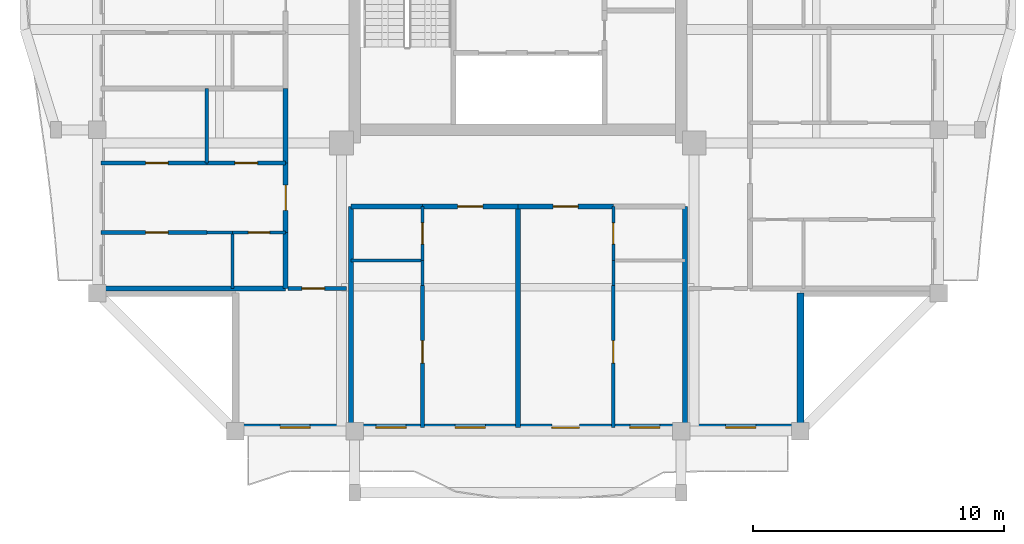
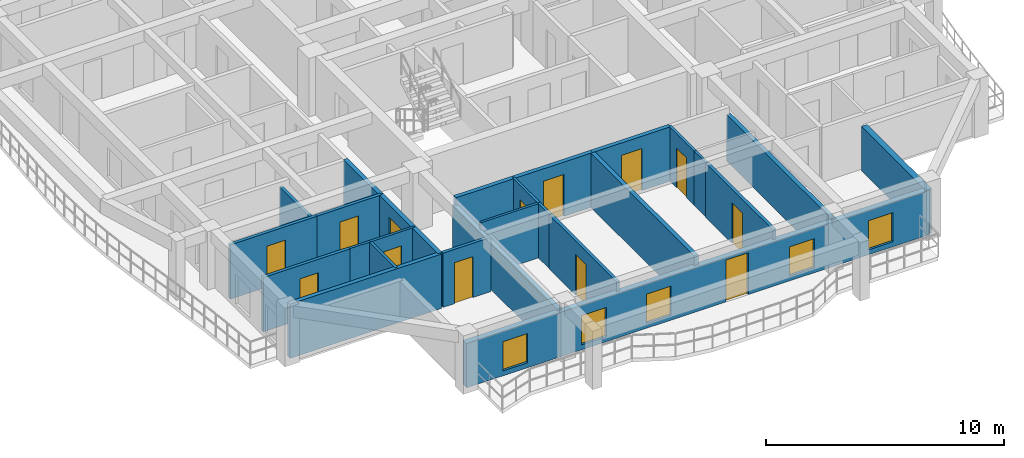
# One storey, part 2 of 14: 27 walls, 13 doors, 5 windows, 18 openings.
"""IFC4 building model written with IfcOpenShell, lengths in metres."""

from ifc_helpers import new_model, si_unit, direction, frame, frame_2d, origin, place, context, subcontext, project, spatial, rectangle, extrude, source, transform, mapped, material, layer, layer_set, type_object, element, fill, save


model = new_model("IFC4")

# Units and contexts
model_context = context("Model", 3, precision=1e-05, world=origin(), true_north=direction((0.0, 1.0)))
body_context = subcontext(model_context, "Body", "Model", "MODEL_VIEW")
ifc_project = project(units=[si_unit("LENGTHUNIT", "METRE"), si_unit("AREAUNIT", "SQUARE_METRE"), si_unit("VOLUMEUNIT", "CUBIC_METRE"), si_unit("PLANEANGLEUNIT", "RADIAN"), si_unit("MASSUNIT", "GRAM", prefix="KILO")], contexts=[model_context])

# Site, building, storey
site_placement = place(None, origin())
site = spatial("IfcSite", under=ifc_project, at=site_placement, CompositionType="ELEMENT")
building_placement = place(site_placement, origin())
building = spatial("IfcBuilding", under=site, at=building_placement, Name="Saelheon Loggia Tower", CompositionType="ELEMENT")
storey_placement = place(building_placement, frame((0.0, 0.0, 233.10009765625)))
storey = spatial("IfcBuildingStorey", under=building, at=storey_placement, Name="L72", CompositionType="ELEMENT", Elevation=233.10009765625)

# Wall, openings, windows, door
ifc_material_1 = material(Name="Architectural Precast Concrete C40/50", Category="concrete")
ifc_layer_1 = layer(ifc_material_1, 0.280029296875)
ifc_layer_set_1 = layer_set([ifc_layer_1], Name="Architectural Precast Concrete C40/50")
wall_type_1 = type_object("IfcWallType", Name="Wall_Ext_Loggia_280", PredefinedType="SOLIDWALL", material=ifc_layer_set_1)
wall_1_placement = place(storey_placement, frame((26.75, 6.139892578125, 0.0), z_axis=(0.0, 0.0, 1.0), x_axis=(1.0, 0.0, 0.0)))
wall_1 = element("IfcWall", 1, at=wall_1_placement, inside=storey, type_object=wall_type_1, Name="L72 South Loggia Inner Wall", PredefinedType="SOLIDWALL", context=body_context, shape_type="SweptSolid", body=[
    extrude(rectangle(XDim=22.5, YDim=0.280029296875, at=frame_2d((11.25, 0.0))), origin(), (0.0, 0.0, 1.0), 2.27978515625),
])
opening_1_placement = place(wall_1_placement, frame((1.77490234375, 0.0, 0.25)))
opening_1 = element("IfcOpeningElement", 2, at=opening_1_placement, cuts=wall_1, Name="Opening WN-03", PredefinedType="OPENING", context=body_context, shape_type="SweptSolid", body=[
    extrude(rectangle(XDim=1.199951171875, YDim=1.5, at=frame_2d((0.60009765625, 0.75))), frame((0.0, 0.152099609375, 0.0), z_axis=(0.0, -1.0, 0.0), x_axis=(1.0, 0.0, 0.0)), (0.0, 0.0, 1.0), 0.303955078125),
])
opening_2_placement = place(wall_1_placement, frame((5.594970703125, 0.0, 0.25)))
opening_2 = element("IfcOpeningElement", 3, at=opening_2_placement, cuts=wall_1, Name="Opening WN-03", PredefinedType="OPENING", context=body_context, shape_type="SweptSolid", body=[
    extrude(rectangle(XDim=1.199951171875, YDim=1.5, at=frame_2d((0.60009765625, 0.75))), frame((0.0, 0.152099609375, 0.0), z_axis=(0.0, -1.0, 0.0), x_axis=(1.0, 0.0, 0.0)), (0.0, 0.0, 1.0), 0.303955078125),
])
opening_3_placement = place(wall_1_placement, frame((8.75, 0.0, 0.25)))
opening_3 = element("IfcOpeningElement", 4, at=opening_3_placement, cuts=wall_1, Name="Opening WN-03", PredefinedType="OPENING", context=body_context, shape_type="SweptSolid", body=[
    extrude(rectangle(XDim=1.199951171875, YDim=1.5, at=frame_2d((0.60009765625, 0.75))), frame((0.0, 0.152099609375, 0.0), z_axis=(0.0, -1.0, 0.0), x_axis=(1.0, 0.0, 0.0)), (0.0, 0.0, 1.0), 0.303955078125),
])
opening_4_placement = place(wall_1_placement, frame((13.7001953125, 0.0, 0.0), z_axis=(0.0, 0.0, 1.0), x_axis=(-1.0, 0.0, 0.0)))
opening_4 = element("IfcOpeningElement", 5, at=opening_4_placement, cuts=wall_1, Name="Opening TD1", PredefinedType="OPENING", context=body_context, shape_type="SweptSolid", body=[
    extrude(rectangle(XDim=1.10009765625, YDim=2.14990234375, at=frame_2d((0.550048828125, 1.074951171875))), frame((0.0, 0.152099609375, 0.0), z_axis=(0.0, -1.0, 0.0), x_axis=(1.0, 0.0, 0.0)), (0.0, 0.0, 1.0), 0.303955078125),
])
opening_5_placement = place(wall_1_placement, frame((15.705078125, 0.0, 0.25)))
opening_5 = element("IfcOpeningElement", 6, at=opening_5_placement, cuts=wall_1, Name="Opening WN-03", PredefinedType="OPENING", context=body_context, shape_type="SweptSolid", body=[
    extrude(rectangle(XDim=1.199951171875, YDim=1.5, at=frame_2d((0.60009765625, 0.75))), frame((0.0, 0.152099609375, 0.0), z_axis=(0.0, -1.0, 0.0), x_axis=(1.0, 0.0, 0.0)), (0.0, 0.0, 1.0), 0.303955078125),
])
opening_6_placement = place(wall_1_placement, frame((19.52490234375, 0.0, 0.25)))
opening_6 = element("IfcOpeningElement", 7, at=opening_6_placement, cuts=wall_1, Name="Opening WN-03", PredefinedType="OPENING", context=body_context, shape_type="SweptSolid", body=[
    extrude(rectangle(XDim=1.199951171875, YDim=1.5, at=frame_2d((0.60009765625, 0.75))), frame((0.0, 0.152099609375, 0.0), z_axis=(0.0, -1.0, 0.0), x_axis=(1.0, 0.0, 0.0)), (0.0, 0.0, 1.0), 0.303955078125),
])
ifc_material_2 = material(Name="Thermal-Break Aluminium and Triple Low-E Glass", Category="aluminium")
window_type = type_object("IfcWindowType", Name="Win_Bedroom_1200x1500", PartitioningType="SINGLE_PANEL", PredefinedType="WINDOW", material=ifc_material_2)
shared_shape_1 = source(origin(), body_context, "Body", "SweptSolid", [
    extrude(rectangle(XDim=1.199951171875, YDim=1.5, at=frame_2d((0.60009765625, 0.75))), frame((0.0, 0.030029296875, 0.0), z_axis=(0.0, -1.0, 0.0), x_axis=(1.0, 0.0, 0.0)), (0.0, 0.0, 1.0), 0.06005859375),
])
window_1_placement = place(opening_1_placement, origin())
window_1 = element("IfcWindow", 8, at=window_1_placement, inside=storey, type_object=window_type, Name="L72 S Dwelling Window 1", OverallHeight=1.5, OverallWidth=1.199951171875, PartitioningType="SINGLE_PANEL", PredefinedType="WINDOW", context=body_context, shape_type="MappedRepresentation", body=[
    mapped(shared_shape_1, transform((0.0, 0.0, 0.0), scale=1.0)),
])
fill(opening_1, window_1)
window_2_placement = place(opening_2_placement, origin())
window_2 = element("IfcWindow", 9, at=window_2_placement, inside=storey, type_object=window_type, Name="L72 S Dwelling Window 2", OverallHeight=1.5, OverallWidth=1.199951171875, PartitioningType="SINGLE_PANEL", PredefinedType="WINDOW", context=body_context, shape_type="MappedRepresentation", body=[
    mapped(shared_shape_1, transform((0.0, 0.0, 0.0), scale=1.0)),
])
fill(opening_2, window_2)
window_3_placement = place(opening_3_placement, origin())
window_3 = element("IfcWindow", 10, at=window_3_placement, inside=storey, type_object=window_type, Name="L72 S Dwelling Window 3", OverallHeight=1.5, OverallWidth=1.199951171875, PartitioningType="SINGLE_PANEL", PredefinedType="WINDOW", context=body_context, shape_type="MappedRepresentation", body=[
    mapped(shared_shape_1, transform((0.0, 0.0, 0.0), scale=1.0)),
])
fill(opening_3, window_3)
window_4_placement = place(opening_5_placement, origin())
window_4 = element("IfcWindow", 11, at=window_4_placement, inside=storey, type_object=window_type, Name="L72 S Dwelling Window 5", OverallHeight=1.5, OverallWidth=1.199951171875, PartitioningType="SINGLE_PANEL", PredefinedType="WINDOW", context=body_context, shape_type="MappedRepresentation", body=[
    mapped(shared_shape_1, transform((0.0, 0.0, 0.0), scale=1.0)),
])
fill(opening_5, window_4)
window_5_placement = place(opening_6_placement, origin())
window_5 = element("IfcWindow", 12, at=window_5_placement, inside=storey, type_object=window_type, Name="L72 S Dwelling Window 6", OverallHeight=1.5, OverallWidth=1.199951171875, PartitioningType="SINGLE_PANEL", PredefinedType="WINDOW", context=body_context, shape_type="MappedRepresentation", body=[
    mapped(shared_shape_1, transform((0.0, 0.0, 0.0), scale=1.0)),
])
fill(opening_6, window_5)
ifc_material_3 = material(Name="Thermal-Break Aluminium Glazed Door", Category="aluminium")
door_type_1 = type_object("IfcDoorType", Name="Door_Terrace_TD1", OperationType="NOTDEFINED", PredefinedType="DOOR", material=ifc_material_3)
shared_shape_2 = source(origin(), body_context, "Body", "SweptSolid", [
    extrude(rectangle(XDim=1.10009765625, YDim=2.14990234375, at=frame_2d((0.550048828125, 1.074951171875))), frame((0.0, 0.02490234375, 0.0), z_axis=(0.0, -1.0, 0.0), x_axis=(1.0, 0.0, 0.0)), (0.0, 0.0, 1.0), 0.050048828125),
])
door_1_placement = place(opening_4_placement, origin())
door_1 = element("IfcDoor", 13, at=door_1_placement, inside=storey, type_object=door_type_1, Name="L72 S Loggia Access Door", OperationType="SINGLE_SWING_RIGHT", OverallHeight=2.14990234375, OverallWidth=1.10009765625, PredefinedType="DOOR", context=body_context, shape_type="MappedRepresentation", body=[
    mapped(shared_shape_2, transform((0.0, 0.0, 0.0), scale=1.0)),
])
fill(opening_4, door_1)

# Wall
wall_2_placement = place(storey_placement, frame((49.25, 6.080078125, 0.0), z_axis=(0.0, 0.0, 1.0), x_axis=(0.0, 1.0, 0.0)))
element("IfcWall", 14, at=wall_2_placement, inside=storey, type_object=wall_type_1, Name="L72 Corner Notch Precast Wall SE1", PredefinedType="SOLIDWALL", context=body_context, shape_type="SweptSolid", body=[
    extrude(rectangle(XDim=5.419921875, YDim=0.280029296875, at=frame_2d((2.7099609375, 0.0))), origin(), (0.0, 0.0, 1.0), 2.27978515625),
])

# Wall, opening, door
ifc_material_4 = material(Name="Lightweight Autoclaved Aerated Concrete Block and Acoustic Gypsum", Category="concrete")
ifc_layer_2 = layer(ifc_material_4, 0.14990234375)
ifc_layer_set_2 = layer_set([ifc_layer_2], Name="Lightweight Autoclaved Aerated Concrete Block and Acoustic Gypsum")
wall_type_2 = type_object("IfcWallType", Name="Wall_Part_150", PredefinedType="PARTITIONING", material=ifc_layer_set_2)
wall_3_placement = place(storey_placement, frame((28.85009765625, 11.679931640625, 0.0), z_axis=(0.0, 0.0, 1.0), x_axis=(1.0, 0.0, 0.0)))
wall_3 = element("IfcWall", 15, at=wall_3_placement, inside=storey, type_object=wall_type_2, Name="PW-L72-CSW-H", PredefinedType="PARTITIONING", context=body_context, shape_type="SweptSolid", body=[
    extrude(rectangle(XDim=2.329833984375, YDim=0.14990234375, at=frame_2d((1.1650390625, 0.0))), origin(), (0.0, 0.0, 1.0), 2.789794921875),
])
opening_7_placement = place(wall_3_placement, frame((0.550048828125, 0.0, 0.0)))
opening_7 = element("IfcOpeningElement", 16, at=opening_7_placement, cuts=wall_3, Name="Opening D-IN2", PredefinedType="OPENING", context=body_context, shape_type="SweptSolid", body=[
    extrude(rectangle(XDim=0.89990234375, YDim=2.10009765625, at=frame_2d((0.449951171875, 1.050048828125))), frame((0.0, 0.0869140625, 0.0), z_axis=(0.0, -1.0, 0.0), x_axis=(1.0, 0.0, 0.0)), (0.0, 0.0, 1.0), 0.173828125),
])
ifc_material_5 = material(Name="Engineered Oak Flush Door", Category="timber")
door_type_2 = type_object("IfcDoorType", Name="Door_Int_900", OperationType="NOTDEFINED", PredefinedType="DOOR", material=ifc_material_5)
shared_shape_3 = source(origin(), body_context, "Body", "SweptSolid", [
    extrude(rectangle(XDim=0.89990234375, YDim=2.10009765625, at=frame_2d((0.449951171875, 1.050048828125))), frame((0.0, 0.02490234375, 0.0), z_axis=(0.0, -1.0, 0.0), x_axis=(1.0, 0.0, 0.0)), (0.0, 0.0, 1.0), 0.050048828125),
])
door_2_placement = place(opening_7_placement, origin())
door_2 = element("IfcDoor", 17, at=door_2_placement, inside=storey, type_object=door_type_2, Name="L72 Corner Home Office SW Door", OperationType="SINGLE_SWING_LEFT", OverallHeight=2.10009765625, OverallWidth=0.89990234375, PredefinedType="DOOR", context=body_context, shape_type="MappedRepresentation", body=[
    mapped(shared_shape_3, transform((0.0, 0.0, 0.0), scale=1.0)),
])
fill(opening_7, door_2)

wall_4_placement = place(storey_placement, frame((34.199951171875, 11.81005859375, 0.0), z_axis=(0.0, 0.0, 1.0), x_axis=(0.0, -1.0, 0.0)))
wall_4 = element("IfcWall", 18, at=wall_4_placement, inside=storey, type_object=wall_type_2, Name="L72 S Partition U08", PredefinedType="PARTITIONING", context=body_context, shape_type="SweptSolid", body=[
    extrude(rectangle(XDim=5.66015625, YDim=0.14990234375, at=frame_2d((2.830078125, 0.0))), origin(), (0.0, 0.0, 1.0), 2.789794921875),
])
opening_8_placement = place(wall_4_placement, frame((2.20166015625, 0.0, 0.0)))
opening_8 = element("IfcOpeningElement", 19, at=opening_8_placement, cuts=wall_4, Name="Opening D-IN2", PredefinedType="OPENING", context=body_context, shape_type="SweptSolid", body=[
    extrude(rectangle(XDim=0.89990234375, YDim=2.10009765625, at=frame_2d((0.449951171875, 1.050048828125))), frame((0.0, 0.0869140625, 0.0), z_axis=(0.0, -1.0, 0.0), x_axis=(1.0, 0.0, 0.0)), (0.0, 0.0, 1.0), 0.173828125),
])
door_3_placement = place(opening_8_placement, origin())
door_3 = element("IfcDoor", 20, at=door_3_placement, inside=storey, type_object=door_type_2, Name="Unit U01 Kitchen Door", OperationType="SINGLE_SWING_LEFT", OverallHeight=2.10009765625, OverallWidth=0.89990234375, PredefinedType="DOOR", context=body_context, shape_type="MappedRepresentation", body=[
    mapped(shared_shape_3, transform((0.0, 0.0, 0.0), scale=1.0)),
])
fill(opening_8, door_3)

wall_5_placement = place(storey_placement, frame((41.800048828125, 11.81005859375, 0.0), z_axis=(0.0, 0.0, 1.0), x_axis=(0.0, -1.0, 0.0)))
wall_5 = element("IfcWall", 21, at=wall_5_placement, inside=storey, type_object=wall_type_2, Name="L72 S Partition U15", PredefinedType="PARTITIONING", context=body_context, shape_type="SweptSolid", body=[
    extrude(rectangle(XDim=5.66015625, YDim=0.14990234375, at=frame_2d((2.830078125, 0.0))), origin(), (0.0, 0.0, 1.0), 2.789794921875),
])
opening_9_placement = place(wall_5_placement, frame((2.20166015625, 0.0, 0.0)))
opening_9 = element("IfcOpeningElement", 22, at=opening_9_placement, cuts=wall_5, Name="Opening D-IN2", PredefinedType="OPENING", context=body_context, shape_type="SweptSolid", body=[
    extrude(rectangle(XDim=0.89990234375, YDim=2.10009765625, at=frame_2d((0.449951171875, 1.050048828125))), frame((0.0, 0.0869140625, 0.0), z_axis=(0.0, -1.0, 0.0), x_axis=(1.0, 0.0, 0.0)), (0.0, 0.0, 1.0), 0.173828125),
])
door_4_placement = place(opening_9_placement, origin())
door_4 = element("IfcDoor", 23, at=door_4_placement, inside=storey, type_object=door_type_2, Name="Unit U02 Kitchen Door", OperationType="SINGLE_SWING_RIGHT", OverallHeight=2.10009765625, OverallWidth=0.89990234375, PredefinedType="DOOR", context=body_context, shape_type="MappedRepresentation", body=[
    mapped(shared_shape_3, transform((0.0, 0.0, 0.0), scale=1.0)),
])
fill(opening_9, door_4)

# Wall
wall_6_placement = place(storey_placement, frame((25.610107421875, 16.679931640625, 0.0), z_axis=(0.0, 0.0, 1.0), x_axis=(0.0, 1.0, 0.0)))
element("IfcWall", 24, at=wall_6_placement, inside=storey, type_object=wall_type_2, Name="L72 W Partition V07", PredefinedType="PARTITIONING", context=body_context, shape_type="SweptSolid", body=[
    extrude(rectangle(XDim=2.966552734375, YDim=0.14990234375, at=frame_2d((1.4833984375, 0.0))), origin(), (0.0, 0.0, 1.0), 2.489990234375),
])

# Wall, opening, door
wall_7_placement = place(storey_placement, frame((25.610107421875, 13.91064453125, 0.0), z_axis=(0.0, 0.0, 1.0), x_axis=(-1.0, 0.0, 0.0)))
wall_7 = element("IfcWall", 25, at=wall_7_placement, inside=storey, type_object=wall_type_2, Name="L72 W Partition U10", PredefinedType="PARTITIONING", context=body_context, shape_type="SweptSolid", body=[
    extrude(rectangle(XDim=4.210205078125, YDim=0.14990234375, at=frame_2d((2.10498046875, 0.0))), origin(), (0.0, 0.0, 1.0), 2.789794921875),
])
opening_10_placement = place(wall_7_placement, frame((1.537109375, 0.0, 0.0)))
opening_10 = element("IfcOpeningElement", 26, at=opening_10_placement, cuts=wall_7, Name="Opening D-IN2", PredefinedType="OPENING", context=body_context, shape_type="SweptSolid", body=[
    extrude(rectangle(XDim=0.89990234375, YDim=2.10009765625, at=frame_2d((0.449951171875, 1.050048828125))), frame((0.0, 0.0869140625, 0.0), z_axis=(0.0, -1.0, 0.0), x_axis=(1.0, 0.0, 0.0)), (0.0, 0.0, 1.0), 0.173828125),
])
door_5_placement = place(opening_10_placement, origin())
door_5 = element("IfcDoor", 27, at=door_5_placement, inside=storey, type_object=door_type_2, Name="Unit U05 Kitchen Door", OperationType="SINGLE_SWING_RIGHT", OverallHeight=2.10009765625, OverallWidth=0.89990234375, PredefinedType="DOOR", context=body_context, shape_type="MappedRepresentation", body=[
    mapped(shared_shape_3, transform((0.0, 0.0, 0.0), scale=1.0)),
])
fill(opening_10, door_5)

wall_8_placement = place(storey_placement, frame((28.75, 16.679931640625, 0.0), z_axis=(0.0, 0.0, 1.0), x_axis=(-1.0, 0.0, 0.0)))
wall_8 = element("IfcWall", 28, at=wall_8_placement, inside=storey, type_object=wall_type_2, Name="L72 W Partition U11", PredefinedType="PARTITIONING", context=body_context, shape_type="SweptSolid", body=[
    extrude(rectangle(XDim=3.139892578125, YDim=0.14990234375, at=frame_2d((1.56982421875, 0.0))), origin(), (0.0, 0.0, 1.0), 2.789794921875),
])
opening_11_placement = place(wall_8_placement, frame((1.1201171875, 0.0, 0.0)))
opening_11 = element("IfcOpeningElement", 29, at=opening_11_placement, cuts=wall_8, Name="Opening D-IN2", PredefinedType="OPENING", context=body_context, shape_type="SweptSolid", body=[
    extrude(rectangle(XDim=0.89990234375, YDim=2.10009765625, at=frame_2d((0.449951171875, 1.050048828125))), frame((0.0, 0.0869140625, 0.0), z_axis=(0.0, -1.0, 0.0), x_axis=(1.0, 0.0, 0.0)), (0.0, 0.0, 1.0), 0.173828125),
])
door_6_placement = place(opening_11_placement, origin())
door_6 = element("IfcDoor", 30, at=door_6_placement, inside=storey, type_object=door_type_2, Name="Unit U05 Dressing Closet Door", OperationType="SINGLE_SWING_LEFT", OverallHeight=2.10009765625, OverallWidth=0.89990234375, PredefinedType="DOOR", context=body_context, shape_type="MappedRepresentation", body=[
    mapped(shared_shape_3, transform((0.0, 0.0, 0.0), scale=1.0)),
])
fill(opening_11, door_6)

wall_9_placement = place(storey_placement, frame((25.610107421875, 16.679931640625, 0.0), z_axis=(0.0, 0.0, 1.0), x_axis=(-1.0, 0.0, 0.0)))
wall_9 = element("IfcWall", 31, at=wall_9_placement, inside=storey, type_object=wall_type_2, Name="L72 W Partition U12", PredefinedType="PARTITIONING", context=body_context, shape_type="SweptSolid", body=[
    extrude(rectangle(XDim=4.210205078125, YDim=0.14990234375, at=frame_2d((2.10498046875, 0.0))), origin(), (0.0, 0.0, 1.0), 2.789794921875),
])
opening_12_placement = place(wall_9_placement, frame((1.537109375, 0.0, 0.0)))
opening_12 = element("IfcOpeningElement", 32, at=opening_12_placement, cuts=wall_9, Name="Opening D-IN2", PredefinedType="OPENING", context=body_context, shape_type="SweptSolid", body=[
    extrude(rectangle(XDim=0.89990234375, YDim=2.10009765625, at=frame_2d((0.449951171875, 1.050048828125))), frame((0.0, 0.0869140625, 0.0), z_axis=(0.0, -1.0, 0.0), x_axis=(1.0, 0.0, 0.0)), (0.0, 0.0, 1.0), 0.173828125),
])
door_7_placement = place(opening_12_placement, origin())
door_7 = element("IfcDoor", 33, at=door_7_placement, inside=storey, type_object=door_type_2, Name="Unit U05 Bedroom 1 Door", OperationType="SINGLE_SWING_RIGHT", OverallHeight=2.10009765625, OverallWidth=0.89990234375, PredefinedType="DOOR", context=body_context, shape_type="MappedRepresentation", body=[
    mapped(shared_shape_3, transform((0.0, 0.0, 0.0), scale=1.0)),
])
fill(opening_12, door_7)

# Walls
ifc_material_6 = material(Name="Double Acoustic Stud and Fireboard Partition", Category="gypsum")
ifc_layer_3 = layer(ifc_material_6, 0.199951171875)
ifc_layer_set_3 = layer_set([ifc_layer_3], Name="Double Acoustic Stud and Fireboard Partition")
wall_type_3 = type_object("IfcWallType", Name="Wall_Party_200", PredefinedType="PARTITIONING", material=ifc_layer_set_3)
for number, where, z_axis, x_axis, name in (
    (34, (31.35009765625, 14.949951171875, 0.0), (0.0, 0.0, 1.0), (0.0, -1.0, 0.0), "L72 S Partition U01"),
    (35, (44.64990234375, 14.949951171875, 0.0), (0.0, 0.0, 1.0), (0.0, -1.0, 0.0), "L72 S Partition U02"),
):
    element("IfcWall", number, at=place(storey_placement, frame(where, z_axis=z_axis, x_axis=x_axis)), inside=storey, type_object=wall_type_3, Name=name, PredefinedType="PARTITIONING", context=body_context, shape_type="SweptSolid", body=[
        extrude(rectangle(XDim=8.800048828125, YDim=0.199951171875, at=frame_2d((4.39990234375, 0.0))), origin(), (0.0, 0.0, 1.0), 2.389892578125),
    ])
wall_10_placement = place(storey_placement, frame((31.35009765625, 14.949951171875, 0.0), z_axis=(0.0, 0.0, 1.0), x_axis=(1.0, 0.0, 0.0)))
element("IfcWall", 36, at=wall_10_placement, inside=storey, type_object=wall_type_3, Name="L72 S Partition V03", PredefinedType="PARTITIONING", context=body_context, shape_type="SweptSolid", body=[
    extrude(rectangle(XDim=2.849853515625, YDim=0.199951171875, at=frame_2d((1.4248046875, 0.0))), origin(), (0.0, 0.0, 1.0), 2.789794921875),
])

# Wall, opening, door
wall_11_placement = place(storey_placement, frame((34.199951171875, 14.949951171875, 0.0), z_axis=(0.0, 0.0, 1.0), x_axis=(1.0, 0.0, 0.0)))
wall_11 = element("IfcWall", 37, at=wall_11_placement, inside=storey, type_object=wall_type_3, Name="L72 S Partition V04", PredefinedType="PARTITIONING", context=body_context, shape_type="SweptSolid", body=[
    extrude(rectangle(XDim=3.800048828125, YDim=0.199951171875, at=frame_2d((1.89990234375, 0.0))), origin(), (0.0, 0.0, 1.0), 2.789794921875),
])
opening_13_placement = place(wall_11_placement, frame((1.39990234375, 0.0, 0.0)))
opening_13 = element("IfcOpeningElement", 38, at=opening_13_placement, cuts=wall_11, Name="Opening D-FD1", PredefinedType="OPENING", context=body_context, shape_type="SweptSolid", body=[
    extrude(rectangle(XDim=1.0, YDim=2.14990234375, at=frame_2d((0.5, 1.074951171875))), frame((0.0, 0.112060546875, 0.0), z_axis=(0.0, -1.0, 0.0), x_axis=(1.0, 0.0, 0.0)), (0.0, 0.0, 1.0), 0.223876953125),
])
ifc_material_7 = material(Name="Fire-Rated Engineered Timber Entrance Door", Category="wood")
door_type_3 = type_object("IfcDoorType", Name="Door_Flat_FD30S", OperationType="NOTDEFINED", PredefinedType="DOOR", material=ifc_material_7)
shared_shape_4 = source(origin(), body_context, "Body", "SweptSolid", [
    extrude(rectangle(XDim=1.0, YDim=2.14990234375, at=frame_2d((0.5, 1.074951171875))), frame((0.0, 0.02490234375, 0.0), z_axis=(0.0, -1.0, 0.0), x_axis=(1.0, 0.0, 0.0)), (0.0, 0.0, 1.0), 0.050048828125),
])
door_8_placement = place(opening_13_placement, origin())
door_8 = element("IfcDoor", 39, at=door_8_placement, inside=storey, type_object=door_type_3, Name="Unit U01 Entrance Door", OperationType="SINGLE_SWING_LEFT", OverallHeight=2.14990234375, OverallWidth=1.0, PredefinedType="DOOR", context=body_context, shape_type="MappedRepresentation", body=[
    mapped(shared_shape_4, transform((0.0, 0.0, 0.0), scale=1.0)),
])
fill(opening_13, door_8)

# Wall
wall_12_placement = place(storey_placement, frame((38.0, 14.949951171875, 0.0), z_axis=(0.0, 0.0, 1.0), x_axis=(0.0, -1.0, 0.0)))
element("IfcWall", 40, at=wall_12_placement, inside=storey, type_object=wall_type_3, Name="L72 S Partition U09", PredefinedType="PARTITIONING", context=body_context, shape_type="SweptSolid", body=[
    extrude(rectangle(XDim=8.800048828125, YDim=0.199951171875, at=frame_2d((4.39990234375, 0.0))), origin(), (0.0, 0.0, 1.0), 2.789794921875),
])

# Wall, opening, door
wall_13_placement = place(storey_placement, frame((38.0, 14.949951171875, 0.0), z_axis=(0.0, 0.0, 1.0), x_axis=(1.0, 0.0, 0.0)))
wall_13 = element("IfcWall", 41, at=wall_13_placement, inside=storey, type_object=wall_type_3, Name="L72 S Partition V10", PredefinedType="PARTITIONING", context=body_context, shape_type="SweptSolid", body=[
    extrude(rectangle(XDim=3.800048828125, YDim=0.199951171875, at=frame_2d((1.89990234375, 0.0))), origin(), (0.0, 0.0, 1.0), 2.789794921875),
])
opening_14_placement = place(wall_13_placement, frame((1.39990234375, 0.0, 0.0)))
opening_14 = element("IfcOpeningElement", 42, at=opening_14_placement, cuts=wall_13, Name="Opening D-FD1", PredefinedType="OPENING", context=body_context, shape_type="SweptSolid", body=[
    extrude(rectangle(XDim=1.0, YDim=2.14990234375, at=frame_2d((0.5, 1.074951171875))), frame((0.0, 0.112060546875, 0.0), z_axis=(0.0, -1.0, 0.0), x_axis=(1.0, 0.0, 0.0)), (0.0, 0.0, 1.0), 0.223876953125),
])
door_9_placement = place(opening_14_placement, origin())
door_9 = element("IfcDoor", 43, at=door_9_placement, inside=storey, type_object=door_type_3, Name="Unit U02 Entrance Door", OperationType="SINGLE_SWING_RIGHT", OverallHeight=2.14990234375, OverallWidth=1.0, PredefinedType="DOOR", context=body_context, shape_type="MappedRepresentation", body=[
    mapped(shared_shape_4, transform((0.0, 0.0, 0.0), scale=1.0)),
])
fill(opening_14, door_9)

# Walls
wall_14_placement = place(storey_placement, frame((28.75, 11.679931640625, 0.0), z_axis=(0.0, 0.0, 1.0), x_axis=(-1.0, 0.0, 0.0)))
element("IfcWall", 44, at=wall_14_placement, inside=storey, type_object=wall_type_3, Name="L72 W Partition U01", PredefinedType="PARTITIONING", context=body_context, shape_type="SweptSolid", body=[
    extrude(rectangle(XDim=7.35009765625, YDim=0.199951171875, at=frame_2d((3.675048828125, 0.0))), origin(), (0.0, 0.0, 1.0), 2.789794921875),
])
wall_15_placement = place(storey_placement, frame((28.75, 11.679931640625, 0.0), z_axis=(0.0, 0.0, 1.0), x_axis=(0.0, 1.0, 0.0)))
element("IfcWall", 45, at=wall_15_placement, inside=storey, type_object=wall_type_3, Name="L72 W Partition V03", PredefinedType="PARTITIONING", context=body_context, shape_type="SweptSolid", body=[
    extrude(rectangle(XDim=2.230712890625, YDim=0.199951171875, at=frame_2d((1.115234375, 0.0))), origin(), (0.0, 0.0, 1.0), 2.789794921875),
])

# Wall, opening, door
wall_16_placement = place(storey_placement, frame((28.75, 13.91064453125, 0.0), z_axis=(0.0, 0.0, 1.0), x_axis=(0.0, 1.0, 0.0)))
wall_16 = element("IfcWall", 46, at=wall_16_placement, inside=storey, type_object=wall_type_3, Name="L72 W Partition V04", PredefinedType="PARTITIONING", context=body_context, shape_type="SweptSolid", body=[
    extrude(rectangle(XDim=2.769287109375, YDim=0.199951171875, at=frame_2d((1.384765625, 0.0))), origin(), (0.0, 0.0, 1.0), 2.789794921875),
])
opening_15_placement = place(wall_16_placement, frame((0.884765625, 0.0, 0.0)))
opening_15 = element("IfcOpeningElement", 47, at=opening_15_placement, cuts=wall_16, Name="Opening D-FD1", PredefinedType="OPENING", context=body_context, shape_type="SweptSolid", body=[
    extrude(rectangle(XDim=1.0, YDim=2.14990234375, at=frame_2d((0.5, 1.074951171875))), frame((0.0, 0.112060546875, 0.0), z_axis=(0.0, -1.0, 0.0), x_axis=(1.0, 0.0, 0.0)), (0.0, 0.0, 1.0), 0.223876953125),
])
door_10_placement = place(opening_15_placement, origin())
door_10 = element("IfcDoor", 48, at=door_10_placement, inside=storey, type_object=door_type_3, Name="Unit U05 Entrance Door", OperationType="SINGLE_SWING_RIGHT", OverallHeight=2.14990234375, OverallWidth=1.0, PredefinedType="DOOR", context=body_context, shape_type="MappedRepresentation", body=[
    mapped(shared_shape_4, transform((0.0, 0.0, 0.0), scale=1.0)),
])
fill(opening_15, door_10)

# Wall
wall_17_placement = place(storey_placement, frame((28.75, 16.679931640625, 0.0), z_axis=(0.0, 0.0, 1.0), x_axis=(0.0, 1.0, 0.0)))
element("IfcWall", 49, at=wall_17_placement, inside=storey, type_object=wall_type_3, Name="L72 W Partition V05", PredefinedType="PARTITIONING", context=body_context, shape_type="SweptSolid", body=[
    extrude(rectangle(XDim=2.966552734375, YDim=0.199951171875, at=frame_2d((1.4833984375, 0.0))), origin(), (0.0, 0.0, 1.0), 2.789794921875),
])

# Wall, opening, door
ifc_material_8 = material(Name="Moisture-Resistant Cement Board Partition", Category="gypsum")
ifc_layer_4 = layer(ifc_material_8, 0.1201171875)
ifc_layer_set_4 = layer_set([ifc_layer_4], Name="Moisture-Resistant Cement Board Partition")
wall_type_4 = type_object("IfcWallType", Name="Wall_WetPart_120", PredefinedType="PARTITIONING", material=ifc_layer_set_4)
wall_18_placement = place(storey_placement, frame((34.199951171875, 14.949951171875, 0.0), z_axis=(0.0, 0.0, 1.0), x_axis=(0.0, -1.0, 0.0)))
wall_18 = element("IfcWall", 50, at=wall_18_placement, inside=storey, type_object=wall_type_4, Name="L72 S Partition U05", PredefinedType="PARTITIONING", context=body_context, shape_type="SweptSolid", body=[
    extrude(rectangle(XDim=2.14990234375, YDim=0.1201171875, at=frame_2d((1.074951171875, 0.0))), origin(), (0.0, 0.0, 1.0), 2.789794921875),
])
opening_16_placement = place(wall_18_placement, frame((0.64990234375, 0.0, 0.0)))
opening_16 = element("IfcOpeningElement", 51, at=opening_16_placement, cuts=wall_18, Name="Opening D-BT1", PredefinedType="OPENING", context=body_context, shape_type="SweptSolid", body=[
    extrude(rectangle(XDim=0.85009765625, YDim=2.050048828125, at=frame_2d((0.425048828125, 1.02490234375))), frame((0.0, 0.072021484375, 0.0), z_axis=(0.0, -1.0, 0.0), x_axis=(1.0, 0.0, 0.0)), (0.0, 0.0, 1.0), 0.14404296875),
])
ifc_material_9 = material(Name="Moisture-Resistant Laminate Timber Door", Category="wood")
door_type_4 = type_object("IfcDoorType", Name="Door_Bath_850", OperationType="NOTDEFINED", PredefinedType="DOOR", material=ifc_material_9)
shared_shape_5 = source(origin(), body_context, "Body", "SweptSolid", [
    extrude(rectangle(XDim=0.85009765625, YDim=2.050048828125, at=frame_2d((0.425048828125, 1.02490234375))), frame((0.0, 0.02490234375, 0.0), z_axis=(0.0, -1.0, 0.0), x_axis=(1.0, 0.0, 0.0)), (0.0, 0.0, 1.0), 0.050048828125),
])
door_11_placement = place(opening_16_placement, origin())
door_11 = element("IfcDoor", 52, at=door_11_placement, inside=storey, type_object=door_type_4, Name="Unit U01 Bathroom Door", OperationType="SINGLE_SWING_RIGHT", OverallHeight=2.050048828125, OverallWidth=0.85009765625, PredefinedType="DOOR", context=body_context, shape_type="MappedRepresentation", body=[
    mapped(shared_shape_5, transform((0.0, 0.0, 0.0), scale=1.0)),
])
fill(opening_16, door_11)

# Walls
wall_19_placement = place(storey_placement, frame((34.199951171875, 12.800048828125, 0.0), z_axis=(0.0, 0.0, 1.0), x_axis=(0.0, -1.0, 0.0)))
element("IfcWall", 53, at=wall_19_placement, inside=storey, type_object=wall_type_4, Name="L72 S Partition U06", PredefinedType="PARTITIONING", context=body_context, shape_type="SweptSolid", body=[
    extrude(rectangle(XDim=0.989990234375, YDim=0.1201171875, at=frame_2d((0.4951171875, 0.0))), origin(), (0.0, 0.0, 1.0), 2.789794921875),
])
wall_20_placement = place(storey_placement, frame((31.35009765625, 12.800048828125, 0.0), z_axis=(0.0, 0.0, 1.0), x_axis=(1.0, 0.0, 0.0)))
element("IfcWall", 54, at=wall_20_placement, inside=storey, type_object=wall_type_4, Name="L72 S Partition V07", PredefinedType="PARTITIONING", context=body_context, shape_type="SweptSolid", body=[
    extrude(rectangle(XDim=2.849853515625, YDim=0.1201171875, at=frame_2d((1.4248046875, 0.0))), origin(), (0.0, 0.0, 1.0), 2.789794921875),
])

# Wall, opening, door
wall_21_placement = place(storey_placement, frame((41.800048828125, 14.949951171875, 0.0), z_axis=(0.0, 0.0, 1.0), x_axis=(0.0, -1.0, 0.0)))
wall_21 = element("IfcWall", 55, at=wall_21_placement, inside=storey, type_object=wall_type_4, Name="L72 S Partition U12", PredefinedType="PARTITIONING", context=body_context, shape_type="SweptSolid", body=[
    extrude(rectangle(XDim=2.14990234375, YDim=0.1201171875, at=frame_2d((1.074951171875, 0.0))), origin(), (0.0, 0.0, 1.0), 2.789794921875),
])
opening_17_placement = place(wall_21_placement, frame((0.64990234375, 0.0, 0.0)))
opening_17 = element("IfcOpeningElement", 56, at=opening_17_placement, cuts=wall_21, Name="Opening D-BT1", PredefinedType="OPENING", context=body_context, shape_type="SweptSolid", body=[
    extrude(rectangle(XDim=0.85009765625, YDim=2.050048828125, at=frame_2d((0.425048828125, 1.02490234375))), frame((0.0, 0.072021484375, 0.0), z_axis=(0.0, -1.0, 0.0), x_axis=(1.0, 0.0, 0.0)), (0.0, 0.0, 1.0), 0.14404296875),
])
door_12_placement = place(opening_17_placement, origin())
door_12 = element("IfcDoor", 57, at=door_12_placement, inside=storey, type_object=door_type_4, Name="Unit U02 Bathroom Door", OperationType="SINGLE_SWING_LEFT", OverallHeight=2.050048828125, OverallWidth=0.85009765625, PredefinedType="DOOR", context=body_context, shape_type="MappedRepresentation", body=[
    mapped(shared_shape_5, transform((0.0, 0.0, 0.0), scale=1.0)),
])
fill(opening_17, door_12)

# Walls
wall_22_placement = place(storey_placement, frame((41.800048828125, 12.800048828125, 0.0), z_axis=(0.0, 0.0, 1.0), x_axis=(0.0, -1.0, 0.0)))
element("IfcWall", 58, at=wall_22_placement, inside=storey, type_object=wall_type_4, Name="L72 S Partition U13", PredefinedType="PARTITIONING", context=body_context, shape_type="SweptSolid", body=[
    extrude(rectangle(XDim=0.989990234375, YDim=0.1201171875, at=frame_2d((0.4951171875, 0.0))), origin(), (0.0, 0.0, 1.0), 2.789794921875),
])
wall_23_placement = place(storey_placement, frame((26.6298828125, 11.679931640625, 0.0), z_axis=(0.0, 0.0, 1.0), x_axis=(0.0, 1.0, 0.0)))
element("IfcWall", 59, at=wall_23_placement, inside=storey, type_object=wall_type_4, Name="L72 W Partition V06", PredefinedType="PARTITIONING", context=body_context, shape_type="SweptSolid", body=[
    extrude(rectangle(XDim=2.230712890625, YDim=0.1201171875, at=frame_2d((1.115234375, 0.0))), origin(), (0.0, 0.0, 1.0), 2.789794921875),
])

# Wall, opening, door
wall_24_placement = place(storey_placement, frame((28.75, 13.91064453125, 0.0), z_axis=(0.0, 0.0, 1.0), x_axis=(-1.0, 0.0, 0.0)))
wall_24 = element("IfcWall", 60, at=wall_24_placement, inside=storey, type_object=wall_type_4, Name="L72 W Partition U08", PredefinedType="PARTITIONING", context=body_context, shape_type="SweptSolid", body=[
    extrude(rectangle(XDim=2.1201171875, YDim=0.1201171875, at=frame_2d((1.06005859375, 0.0))), origin(), (0.0, 0.0, 1.0), 2.789794921875),
])
opening_18_placement = place(wall_24_placement, frame((0.635009765625, 0.0, 0.0)))
opening_18 = element("IfcOpeningElement", 61, at=opening_18_placement, cuts=wall_24, Name="Opening D-BT1", PredefinedType="OPENING", context=body_context, shape_type="SweptSolid", body=[
    extrude(rectangle(XDim=0.85009765625, YDim=2.050048828125, at=frame_2d((0.425048828125, 1.02490234375))), frame((0.0, 0.072021484375, 0.0), z_axis=(0.0, -1.0, 0.0), x_axis=(1.0, 0.0, 0.0)), (0.0, 0.0, 1.0), 0.14404296875),
])
door_13_placement = place(opening_18_placement, origin())
door_13 = element("IfcDoor", 62, at=door_13_placement, inside=storey, type_object=door_type_4, Name="Unit U05 Bathroom Door", OperationType="SINGLE_SWING_LEFT", OverallHeight=2.050048828125, OverallWidth=0.85009765625, PredefinedType="DOOR", context=body_context, shape_type="MappedRepresentation", body=[
    mapped(shared_shape_5, transform((0.0, 0.0, 0.0), scale=1.0)),
])
fill(opening_18, door_13)

# Wall
wall_25_placement = place(storey_placement, frame((26.6298828125, 13.91064453125, 0.0), z_axis=(0.0, 0.0, 1.0), x_axis=(-1.0, 0.0, 0.0)))
element("IfcWall", 63, at=wall_25_placement, inside=storey, type_object=wall_type_4, Name="L72 W Partition U09", PredefinedType="PARTITIONING", context=body_context, shape_type="SweptSolid", body=[
    extrude(rectangle(XDim=1.019775390625, YDim=0.1201171875, at=frame_2d((0.509765625, 0.0))), origin(), (0.0, 0.0, 1.0), 2.789794921875),
])

save(model, "model.ifc")
